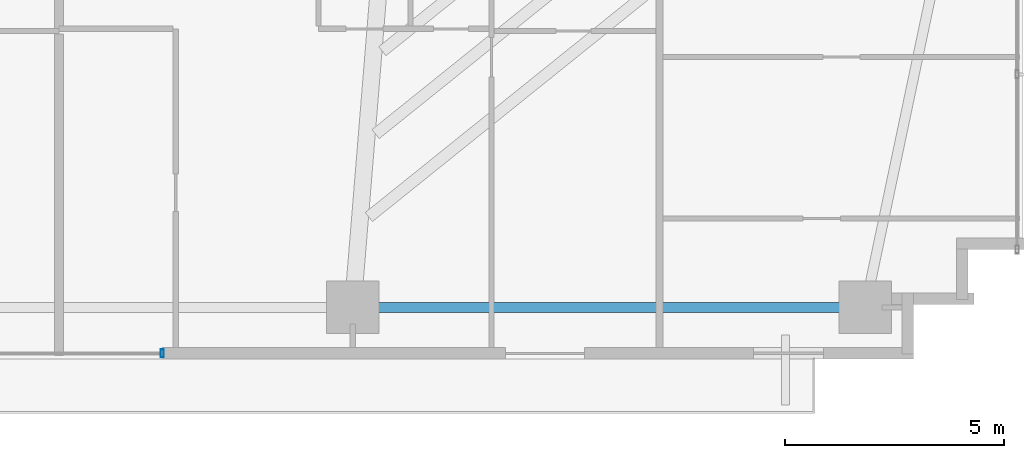
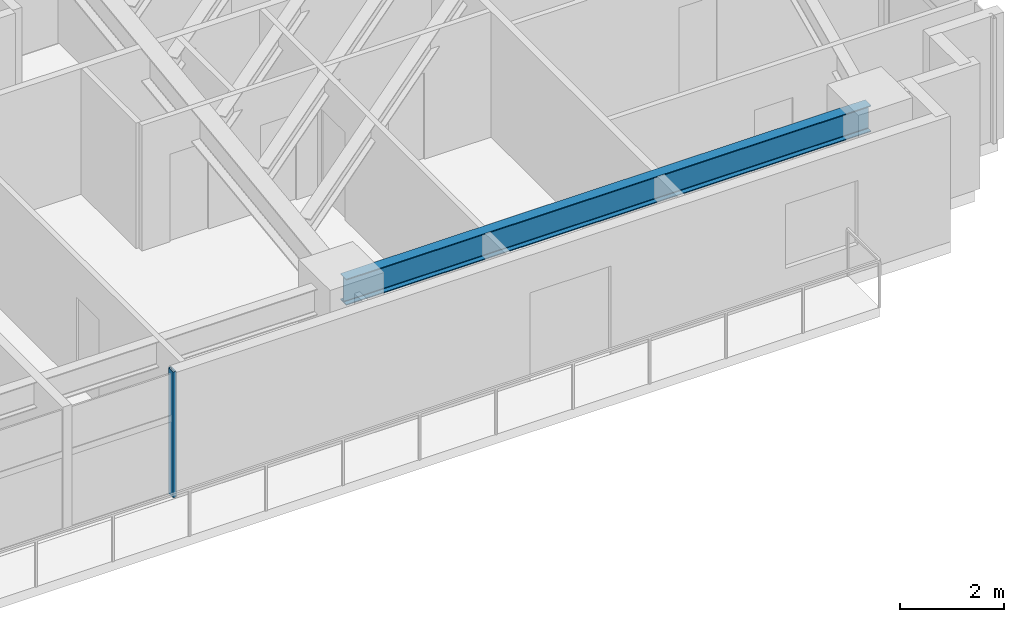
# One storey, part 12 of 25: 1 beam, 1 member, 1 element without a shape of its own.
"""IFC4 building model written with IfcOpenShell, lengths in metres."""

from ifc_helpers import new_model, si_unit, direction, frame, origin, origin_2d, place, context, subcontext, project, spatial, hollow_rectangle, i_section, extrude, source, transform, mapped, material, material_profile, profile_set, type_object, type_shapes, element, aggregate, save


model = new_model("IFC4")

# Units and contexts
model_context = context("Model", 3, precision=1e-05, world=origin(), true_north=direction((0.0, 1.0)))
body_context = subcontext(model_context, "Body", "Model", "MODEL_VIEW")
ifc_project = project(units=[si_unit("LENGTHUNIT", "METRE"), si_unit("AREAUNIT", "SQUARE_METRE"), si_unit("VOLUMEUNIT", "CUBIC_METRE"), si_unit("PLANEANGLEUNIT", "RADIAN"), si_unit("MASSUNIT", "GRAM", prefix="KILO")], contexts=[model_context])

# Site, building, storey
site_placement = place(None, origin())
site = spatial("IfcSite", under=ifc_project, at=site_placement, CompositionType="ELEMENT")
building_placement = place(site_placement, origin())
building = spatial("IfcBuilding", under=site, at=building_placement, Name="Astriad Promenade Condominiums", CompositionType="ELEMENT")
storey_placement = place(building_placement, frame((0.0, 0.0, 32.60009765625)))
storey = spatial("IfcBuildingStorey", under=building, at=storey_placement, Name="L08", CompositionType="ELEMENT", Elevation=32.60009765625)

# Beam
ifc_material_1 = material(Name="Steel ASTM A992 Grade 50", Category="steel")
ifc_material_profile_1 = material_profile(ifc_material_1, i_section(OverallWidth=0.22900390625, OverallDepth=0.612060546875, WebThickness=0.011962890625, FlangeThickness=0.01953125, FilletRadius=0.017822265625, at=origin_2d()), Name="W24X84")
ifc_profile_set_1 = profile_set([ifc_material_profile_1], Name="Steel ASTM A992 Grade 50")
beam_type = type_object("IfcBeamType", Name="STEEL SPANDREL BEAM W24X84", PredefinedType="SPANDREL", material=ifc_profile_set_1)
shared_shape_1 = source(origin(), body_context, "Body", "SweptSolid", [
    extrude(i_section(OverallWidth=0.22900390625, OverallDepth=0.612060546875, WebThickness=0.011962890625, FlangeThickness=0.01953125, FilletRadius=0.017822265625, at=origin_2d()), origin(), (0.0, 0.0, 1.0), 11.619873046875),
])
type_shapes(beam_type, [shared_shape_1])
beam_placement = place(storey_placement, frame((44.5400390625, 3.8798828125, 2.6337890625), z_axis=(1.0, 0.0, 0.0), x_axis=(0.0, 1.0, 0.0)))
element("IfcBeam", 1, at=beam_placement, inside=storey, type_object=beam_type, Name="Perimeter Spandrel Beam SP-S4-L08", PredefinedType="SPANDREL", context=body_context, shape_type="MappedRepresentation", body=[
    mapped(shared_shape_1, transform((0.0, 0.0, 0.0), scale=1.0)),
])

# Curtain wall, member
ifc_material_2 = material(Name="Anodised aluminium Black Dark Glass Unitised", Category="aluminium")
curtain_wall_type = type_object("IfcCurtainWallType", Name="CW-B1-DARK", PredefinedType="USERDEFINED", material=ifc_material_2)
curtain_wall_placement = place(storey_placement, origin())
curtain_wall = element("IfcCurtainWall", 2, at=curtain_wall_placement, inside=storey, type_object=curtain_wall_type, Name="CW-L08-S", ObjectType="UNITISED_CURTAIN_WALL", PredefinedType="USERDEFINED")
ifc_material_3 = material(Name="Anodised aluminium 6063-T6 Black", Category="aluminium")
ifc_material_profile_2 = material_profile(ifc_material_3, hollow_rectangle(XDim=0.074951171875, YDim=0.18505859375, WallThickness=0.00439453125, at=origin_2d()), Name="ALU-MUL-75X185")
ifc_profile_set_2 = profile_set([ifc_material_profile_2], Name="Anodised aluminium 6063-T6 Black")
member_type = type_object("IfcMemberType", Name="MUL-ALU-MUL-75X185", PredefinedType="MULLION", material=ifc_profile_set_2)
shared_shape_2 = source(origin(), body_context, "Body", "SweptSolid", [
    extrude(hollow_rectangle(XDim=0.074951171875, YDim=0.18505859375, WallThickness=0.00439453125, at=origin_2d()), origin(), (0.0, 0.0, 1.0), 2.93994140625),
])
type_shapes(member_type, [shared_shape_2])
member_placement = place(storey_placement, frame((40.14990234375, 2.830078125, 0.0), z_axis=(0.0, 0.0, 1.0), x_axis=(1.0, 0.0, 0.0)))
member = element("IfcMember", 3, at=member_placement, type_object=member_type, Name="CW-L08-S-MUL-00", PredefinedType="MULLION", context=body_context, shape_type="MappedRepresentation", body=[
    mapped(shared_shape_2, transform((0.0, 0.0, 0.0), scale=1.0)),
])
aggregate(curtain_wall, [member])

save(model, "model.ifc")
